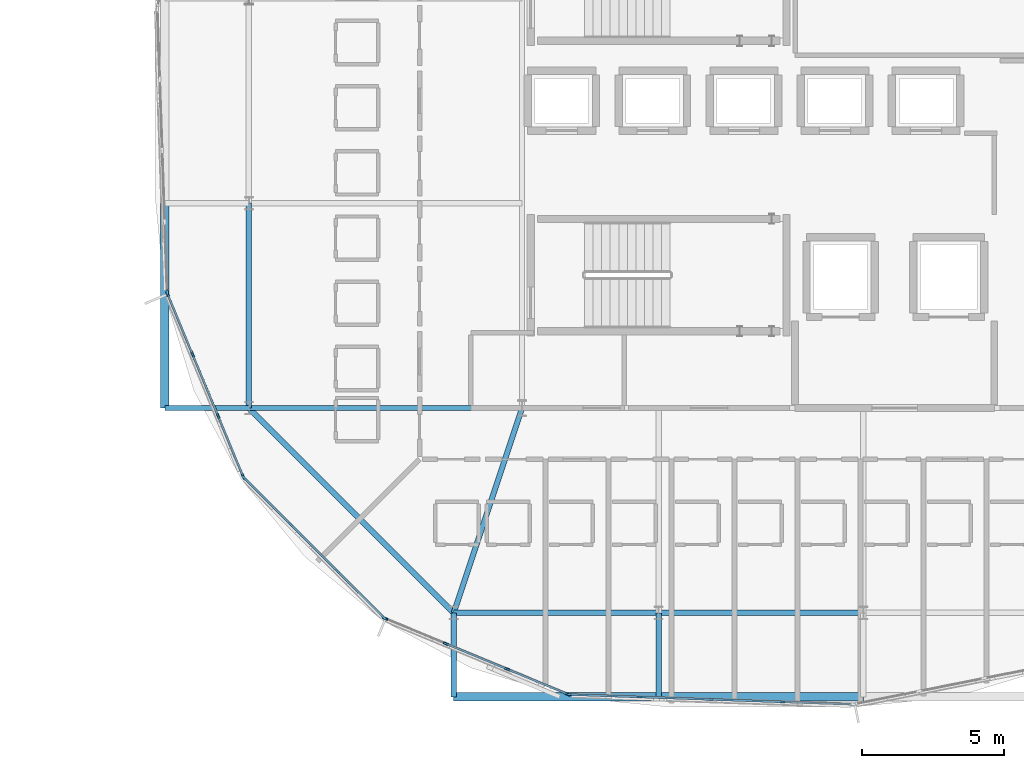
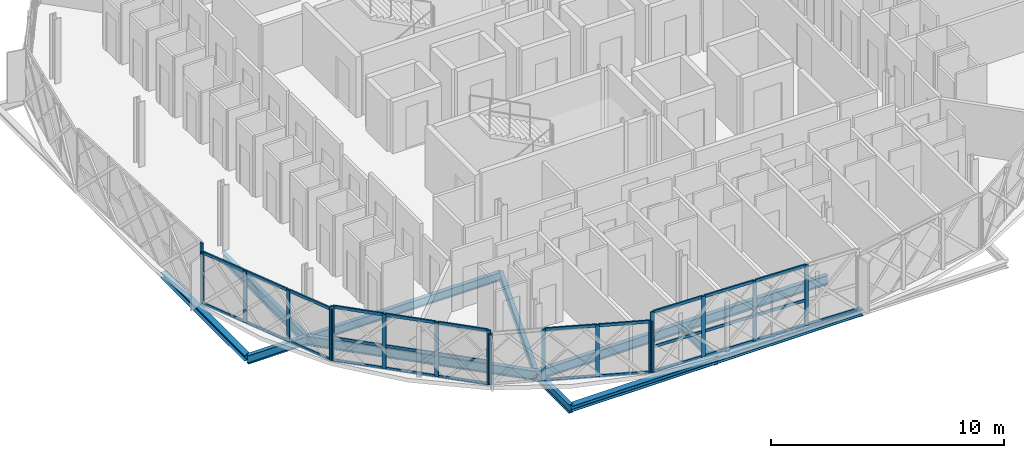
# One storey, part 5 of 25: 46 members, 12 beams, 5 elements without a shape of their own.
"""IFC4 building model written with IfcOpenShell, lengths in metres."""

from ifc_helpers import new_model, si_unit, direction, frame, origin, origin_2d, place, context, subcontext, project, spatial, rectangle, i_section, extrude, material, layer, layer_set, material_profile, profile_set, type_object, element, aggregate, save


model = new_model("IFC4")

# Units and contexts
model_context = context("Model", 3, precision=1e-05, world=origin(), true_north=direction((0.0, 1.0)))
body_context = subcontext(model_context, "Body", "Model", "MODEL_VIEW")
ifc_project = project(units=[si_unit("LENGTHUNIT", "METRE"), si_unit("AREAUNIT", "SQUARE_METRE"), si_unit("VOLUMEUNIT", "CUBIC_METRE"), si_unit("PLANEANGLEUNIT", "RADIAN"), si_unit("MASSUNIT", "GRAM", prefix="KILO")], contexts=[model_context])

# Site, building, storey
site_placement = place(None, origin())
site = spatial("IfcSite", under=ifc_project, at=site_placement, CompositionType="ELEMENT")
building_placement = place(site_placement, origin())
building = spatial("IfcBuilding", under=site, at=building_placement, Name="Zevrakil Square Congress Hotel", CompositionType="ELEMENT")
storey_placement = place(building_placement, frame((0.0, 0.0, 28.300048828125)))
storey = spatial("IfcBuildingStorey", under=building, at=storey_placement, Name="L08", CompositionType="ELEMENT", Elevation=28.300048828125)

# Beams
ifc_material_1 = material(Name="Steel S355", Category="steel")
ifc_material_profile_1 = material_profile(ifc_material_1, i_section(OverallWidth=0.18994140625, OverallDepth=0.449951171875, WebThickness=0.009521484375, FlangeThickness=0.0146484375, FilletRadius=0.02099609375, at=origin_2d()), Name="IPE 450")
ifc_profile_set_1 = profile_set([ifc_material_profile_1], Name="Steel S355")
beam_type_1 = type_object("IfcBeamType", Name="BM-IPE450", PredefinedType="BEAM", material=ifc_profile_set_1)
beam_1_placement = place(storey_placement, frame((136.800048828125, 16.800048828125, -0.43505859375), z_axis=(-0.316247066962, -0.948676864184, 0.0), x_axis=(0.948676864184, -0.316247066962, 0.0)))
element("IfcBeam", 1, at=beam_1_placement, inside=storey, type_object=beam_type_1, Name="L08 drum radial floor beam DRI-01", PredefinedType="BEAM", context=body_context, shape_type="SweptSolid", body=[
    extrude(i_section(OverallWidth=0.18994140625, OverallDepth=0.449951171875, WebThickness=0.009521484375, FlangeThickness=0.0146484375, FilletRadius=0.02099609375, at=origin_2d()), origin(), (0.0, 0.0, 1.0), 7.58935546875),
])
for number, where, z_axis, x_axis, name in (
    (2, (134.39990234375, 9.60009765625, -0.43505859375), (0.0, -1.0, 0.0), (1.0, 0.0, 0.0), "L08 drum radial edge cantilever beam DRO-01"),
    (3, (141.60009765625, 9.60009765625, -0.43505859375), (0.0, -1.0, 0.0), (1.0, 0.0, 0.0), "L08 drum radial edge cantilever beam DRO-02"),
):
    element("IfcBeam", number, at=place(storey_placement, frame(where, z_axis=z_axis, x_axis=x_axis)), inside=storey, type_object=beam_type_1, Name=name, PredefinedType="BEAM", context=body_context, shape_type="SweptSolid", body=[
        extrude(i_section(OverallWidth=0.18994140625, OverallDepth=0.449951171875, WebThickness=0.009521484375, FlangeThickness=0.0146484375, FilletRadius=0.02099609375, at=origin_2d()), origin(), (0.0, 0.0, 1.0), 2.95458984375),
    ])
beam_2_placement = place(storey_placement, frame((136.800048828125, 16.800048828125, -0.43505859375), z_axis=(-1.0, 0.0, 0.0), x_axis=(0.0, -1.0, 0.0)))
element("IfcBeam", 4, at=beam_2_placement, inside=storey, type_object=beam_type_1, Name="L08 drum radial floor beam DRI-16", PredefinedType="BEAM", context=body_context, shape_type="SweptSolid", body=[
    extrude(i_section(OverallWidth=0.18994140625, OverallDepth=0.449951171875, WebThickness=0.009521484375, FlangeThickness=0.0146484375, FilletRadius=0.02099609375, at=origin_2d()), origin(), (0.0, 0.0, 1.0), 9.60009765625),
])
beam_3_placement = place(storey_placement, frame((127.199951171875, 16.800048828125, -0.43505859375), z_axis=(-1.0, 0.0, 0.0), x_axis=(0.0, -1.0, 0.0)))
element("IfcBeam", 5, at=beam_3_placement, inside=storey, type_object=beam_type_1, Name="L08 drum radial edge cantilever beam DRO-16", PredefinedType="BEAM", context=body_context, shape_type="SweptSolid", body=[
    extrude(i_section(OverallWidth=0.18994140625, OverallDepth=0.449951171875, WebThickness=0.009521484375, FlangeThickness=0.0146484375, FilletRadius=0.02099609375, at=origin_2d()), origin(), (0.0, 0.0, 1.0), 2.954345703125),
])
ifc_material_2 = material(Name="Steel S355", Category="steel")
ifc_material_profile_2 = material_profile(ifc_material_2, i_section(OverallWidth=0.199951171875, OverallDepth=0.5, WebThickness=0.01025390625, FlangeThickness=0.01611328125, FilletRadius=0.02099609375, at=origin_2d()), Name="IPE 500")
ifc_profile_set_2 = profile_set([ifc_material_profile_2], Name="Steel S355")
beam_type_2 = type_object("IfcBeamType", Name="BM-IPE500", PredefinedType="BEAM", material=ifc_profile_set_2)
beam_4_placement = place(storey_placement, frame((134.39990234375, 9.60009765625, -0.4599609375), z_axis=(1.0, 0.0, 0.0), x_axis=(0.0, 1.0, 0.0)))
element("IfcBeam", 6, at=beam_4_placement, inside=storey, type_object=beam_type_2, Name="L08 drum ring girder DRB-01", PredefinedType="BEAM", context=body_context, shape_type="SweptSolid", body=[
    extrude(i_section(OverallWidth=0.199951171875, OverallDepth=0.5, WebThickness=0.01025390625, FlangeThickness=0.01611328125, FilletRadius=0.02099609375, at=origin_2d()), origin(), (0.0, 0.0, 1.0), 7.2001953125),
])
for number, where, z_axis, x_axis, name in (
    (7, (141.60009765625, 9.60009765625, -0.4599609375), (1.0, 0.0, 0.0), (0.0, 1.0, 0.0), "L08 drum ring girder DRB-02"),
    (8, (127.199951171875, 24.0, -0.4599609375), (0.0, -1.0, 0.0), (1.0, 0.0, 0.0), "L08 drum ring girder DRB-15"),
):
    element("IfcBeam", number, at=place(storey_placement, frame(where, z_axis=z_axis, x_axis=x_axis)), inside=storey, type_object=beam_type_2, Name=name, PredefinedType="BEAM", context=body_context, shape_type="SweptSolid", body=[
        extrude(i_section(OverallWidth=0.199951171875, OverallDepth=0.5, WebThickness=0.01025390625, FlangeThickness=0.01611328125, FilletRadius=0.02099609375, at=origin_2d()), origin(), (0.0, 0.0, 1.0), 7.199951171875),
    ])
beam_5_placement = place(storey_placement, frame((127.199951171875, 16.800048828125, -0.4599609375), z_axis=(0.707106781187, -0.707106781187, 0.0), x_axis=(0.707106781187, 0.707106781187, 0.0)))
element("IfcBeam", 9, at=beam_5_placement, inside=storey, type_object=beam_type_2, Name="L08 drum ring girder DRB-16", PredefinedType="BEAM", context=body_context, shape_type="SweptSolid", body=[
    extrude(i_section(OverallWidth=0.199951171875, OverallDepth=0.5, WebThickness=0.01025390625, FlangeThickness=0.01611328125, FilletRadius=0.02099609375, at=origin_2d()), origin(), (0.0, 0.0, 1.0), 10.182373046875),
])

# Curtain wall, members
ifc_material_3 = material(Name="Aluminium Anodised Bronze", Category="aluminium")
ifc_layer_1 = layer(ifc_material_3, 0.179931640625)
ifc_layer_set_1 = layer_set([ifc_layer_1], Name="Aluminium Anodised Bronze")
curtain_wall_type_1 = type_object("IfcCurtainWallType", Name="CW-L08-720", PredefinedType="USERDEFINED", material=ifc_layer_set_1)
curtain_wall_1_placement = place(storey_placement, origin())
curtain_wall_1 = element("IfcCurtainWall", 10, at=curtain_wall_1_placement, inside=storey, type_object=curtain_wall_type_1, Name="L08 diamond curtain wall CW-L08-0249", ObjectType="GLAZED CURTAIN WALL", PredefinedType="USERDEFINED")
ifc_material_4 = material(Name="Aluminium Anodised Bronze", Category="aluminium")
ifc_material_profile_3 = material_profile(ifc_material_4, rectangle(XDim=0.074951171875, YDim=0.14990234375, at=origin_2d()), Name="ALU 75x150")
ifc_profile_set_3 = profile_set([ifc_material_profile_3], Name="Aluminium Anodised Bronze")
member_type_1 = type_object("IfcMemberType", Name="CWM-ALU75x150", PredefinedType="USERDEFINED", material=ifc_profile_set_3)
member_1_placement = place(storey_placement, frame((124.353515625, 20.7822265625, 0.030029296875), z_axis=(0.382668727465, -0.923885623343, 0.0), x_axis=(0.923885623343, 0.382668727465, 0.0)))
member_1 = element("IfcMember", 11, at=member_1_placement, type_object=member_type_1, Name="CW-94 transom 1.1", ObjectType="TRANSOM", PredefinedType="USERDEFINED", context=body_context, shape_type="SweptSolid", body=[
    extrude(rectangle(XDim=0.074951171875, YDim=0.14990234375, at=origin_2d()), origin(), (0.0, 0.0, 1.0), 2.2451171875),
])
member_2_placement = place(storey_placement, frame((124.353515625, 20.7822265625, 2.679931640625), z_axis=(0.382668727465, -0.923885623343, 0.0), x_axis=(0.923885623343, 0.382668727465, 0.0)))
member_2 = element("IfcMember", 12, at=member_2_placement, type_object=member_type_1, Name="CW-94 transom 1.2", ObjectType="TRANSOM", PredefinedType="USERDEFINED", context=body_context, shape_type="SweptSolid", body=[
    extrude(rectangle(XDim=0.074951171875, YDim=0.14990234375, at=origin_2d()), origin(), (0.0, 0.0, 1.0), 2.2451171875),
])
member_3_placement = place(storey_placement, frame((125.235595703125, 18.652587890625, 0.030029296875), z_axis=(0.38274032778, -0.923855963606, 0.0), x_axis=(0.923855963606, 0.38274032778, 0.0)))
member_3 = element("IfcMember", 13, at=member_3_placement, type_object=member_type_1, Name="CW-94 transom 2.1", ObjectType="TRANSOM", PredefinedType="USERDEFINED", context=body_context, shape_type="SweptSolid", body=[
    extrude(rectangle(XDim=0.074951171875, YDim=0.14990234375, at=origin_2d()), origin(), (0.0, 0.0, 1.0), 2.275390625),
])
member_4_placement = place(storey_placement, frame((125.235595703125, 18.652587890625, 2.679931640625), z_axis=(0.38274032778, -0.923855963606, 0.0), x_axis=(0.923855963606, 0.38274032778, 0.0)))
member_4 = element("IfcMember", 14, at=member_4_placement, type_object=member_type_1, Name="CW-94 transom 2.2", ObjectType="TRANSOM", PredefinedType="USERDEFINED", context=body_context, shape_type="SweptSolid", body=[
    extrude(rectangle(XDim=0.074951171875, YDim=0.14990234375, at=origin_2d()), origin(), (0.0, 0.0, 1.0), 2.275390625),
])
member_5_placement = place(storey_placement, frame((126.12939453125, 16.494873046875, 0.030029296875), z_axis=(0.382668727465, -0.923885623343, 0.0), x_axis=(0.923885623343, 0.382668727465, 0.0)))
member_5 = element("IfcMember", 15, at=member_5_placement, type_object=member_type_1, Name="CW-94 transom 3.1", ObjectType="TRANSOM", PredefinedType="USERDEFINED", context=body_context, shape_type="SweptSolid", body=[
    extrude(rectangle(XDim=0.074951171875, YDim=0.14990234375, at=origin_2d()), origin(), (0.0, 0.0, 1.0), 2.2451171875),
])
member_6_placement = place(storey_placement, frame((126.12939453125, 16.494873046875, 2.679931640625), z_axis=(0.382668727465, -0.923885623343, 0.0), x_axis=(0.923885623343, 0.382668727465, 0.0)))
member_6 = element("IfcMember", 16, at=member_6_placement, type_object=member_type_1, Name="CW-94 transom 3.2", ObjectType="TRANSOM", PredefinedType="USERDEFINED", context=body_context, shape_type="SweptSolid", body=[
    extrude(rectangle(XDim=0.074951171875, YDim=0.14990234375, at=origin_2d()), origin(), (0.0, 0.0, 1.0), 2.2451171875),
])

curtain_wall_2_placement = place(storey_placement, origin())
curtain_wall_2 = element("IfcCurtainWall", 17, at=curtain_wall_2_placement, inside=storey, type_object=curtain_wall_type_1, Name="L08 diamond curtain wall CW-L08-0250", ObjectType="GLAZED CURTAIN WALL", PredefinedType="USERDEFINED")
member_7_placement = place(storey_placement, frame((127.053955078125, 14.32275390625, 0.030029296875), z_axis=(0.707106781187, -0.707106781187, 0.0), x_axis=(0.707106781187, 0.707106781187, 0.0)))
member_7 = element("IfcMember", 18, at=member_7_placement, type_object=member_type_1, Name="CW-94 transom 1.1", ObjectType="TRANSOM", PredefinedType="USERDEFINED", context=body_context, shape_type="SweptSolid", body=[
    extrude(rectangle(XDim=0.074951171875, YDim=0.14990234375, at=origin_2d()), origin(), (0.0, 0.0, 1.0), 2.245361328125),
])
member_8_placement = place(storey_placement, frame((127.053955078125, 14.32275390625, 1.201171875), z_axis=(0.707106781187, -0.707106781187, 0.0), x_axis=(0.707106781187, 0.707106781187, 0.0)))
member_8 = element("IfcMember", 19, at=member_8_placement, type_object=member_type_1, Name="CW-94 transom 1.2", ObjectType="TRANSOM", PredefinedType="USERDEFINED", context=body_context, shape_type="SweptSolid", body=[
    extrude(rectangle(XDim=0.074951171875, YDim=0.14990234375, at=origin_2d()), origin(), (0.0, 0.0, 1.0), 2.245361328125),
])
member_9_placement = place(storey_placement, frame((127.053955078125, 14.32275390625, 2.829833984375), z_axis=(0.707106781187, -0.707106781187, 0.0), x_axis=(0.707106781187, 0.707106781187, 0.0)))
member_9 = element("IfcMember", 20, at=member_9_placement, type_object=member_type_1, Name="CW-94 transom 1.3", ObjectType="TRANSOM", PredefinedType="USERDEFINED", context=body_context, shape_type="SweptSolid", body=[
    extrude(rectangle(XDim=0.074951171875, YDim=0.14990234375, at=origin_2d()), origin(), (0.0, 0.0, 1.0), 2.245361328125),
])
member_10_placement = place(storey_placement, frame((128.683837890625, 12.69287109375, 0.030029296875), z_axis=(0.707106781187, -0.707106781187, 0.0), x_axis=(0.707106781187, 0.707106781187, 0.0)))
member_10 = element("IfcMember", 21, at=member_10_placement, type_object=member_type_1, Name="CW-94 transom 2.1", ObjectType="TRANSOM", PredefinedType="USERDEFINED", context=body_context, shape_type="SweptSolid", body=[
    extrude(rectangle(XDim=0.074951171875, YDim=0.14990234375, at=origin_2d()), origin(), (0.0, 0.0, 1.0), 2.275390625),
])
member_11_placement = place(storey_placement, frame((128.683837890625, 12.69287109375, 1.201171875), z_axis=(0.707106781187, -0.707106781187, 0.0), x_axis=(0.707106781187, 0.707106781187, 0.0)))
member_11 = element("IfcMember", 22, at=member_11_placement, type_object=member_type_1, Name="CW-94 transom 2.2", ObjectType="TRANSOM", PredefinedType="USERDEFINED", context=body_context, shape_type="SweptSolid", body=[
    extrude(rectangle(XDim=0.074951171875, YDim=0.14990234375, at=origin_2d()), origin(), (0.0, 0.0, 1.0), 2.275390625),
])
member_12_placement = place(storey_placement, frame((128.683837890625, 12.69287109375, 2.829833984375), z_axis=(0.707106781187, -0.707106781187, 0.0), x_axis=(0.707106781187, 0.707106781187, 0.0)))
member_12 = element("IfcMember", 23, at=member_12_placement, type_object=member_type_1, Name="CW-94 transom 2.3", ObjectType="TRANSOM", PredefinedType="USERDEFINED", context=body_context, shape_type="SweptSolid", body=[
    extrude(rectangle(XDim=0.074951171875, YDim=0.14990234375, at=origin_2d()), origin(), (0.0, 0.0, 1.0), 2.275390625),
])
member_13_placement = place(storey_placement, frame((130.335205078125, 11.04150390625, 0.030029296875), z_axis=(0.707106781187, -0.707106781187, 0.0), x_axis=(0.707106781187, 0.707106781187, 0.0)))
member_13 = element("IfcMember", 24, at=member_13_placement, type_object=member_type_1, Name="CW-94 transom 3.1", ObjectType="TRANSOM", PredefinedType="USERDEFINED", context=body_context, shape_type="SweptSolid", body=[
    extrude(rectangle(XDim=0.074951171875, YDim=0.14990234375, at=origin_2d()), origin(), (0.0, 0.0, 1.0), 2.245361328125),
])
member_14_placement = place(storey_placement, frame((130.335205078125, 11.04150390625, 1.201171875), z_axis=(0.707106781187, -0.707106781187, 0.0), x_axis=(0.707106781187, 0.707106781187, 0.0)))
member_14 = element("IfcMember", 25, at=member_14_placement, type_object=member_type_1, Name="CW-94 transom 3.2", ObjectType="TRANSOM", PredefinedType="USERDEFINED", context=body_context, shape_type="SweptSolid", body=[
    extrude(rectangle(XDim=0.074951171875, YDim=0.14990234375, at=origin_2d()), origin(), (0.0, 0.0, 1.0), 2.245361328125),
])
member_15_placement = place(storey_placement, frame((130.335205078125, 11.04150390625, 2.829833984375), z_axis=(0.707106781187, -0.707106781187, 0.0), x_axis=(0.707106781187, 0.707106781187, 0.0)))
member_15 = element("IfcMember", 26, at=member_15_placement, type_object=member_type_1, Name="CW-94 transom 3.3", ObjectType="TRANSOM", PredefinedType="USERDEFINED", context=body_context, shape_type="SweptSolid", body=[
    extrude(rectangle(XDim=0.074951171875, YDim=0.14990234375, at=origin_2d()), origin(), (0.0, 0.0, 1.0), 2.245361328125),
])

curtain_wall_3_placement = place(storey_placement, origin())
curtain_wall_3 = element("IfcCurtainWall", 27, at=curtain_wall_3_placement, inside=storey, type_object=curtain_wall_type_1, Name="L08 diamond curtain wall CW-L08-0251", ObjectType="GLAZED CURTAIN WALL", PredefinedType="USERDEFINED")
member_16_placement = place(storey_placement, frame((134.150390625, 8.50634765625, 0.030029296875), z_axis=(0.923893901698, -0.382648740238, 0.0), x_axis=(0.382648740238, 0.923893901698, 0.0)))
member_16 = element("IfcMember", 28, at=member_16_placement, type_object=member_type_1, Name="CW-94 transom 2.1", ObjectType="TRANSOM", PredefinedType="USERDEFINED", context=body_context, shape_type="SweptSolid", body=[
    extrude(rectangle(XDim=0.074951171875, YDim=0.14990234375, at=origin_2d()), origin(), (0.0, 0.0, 1.0), 2.275146484375),
])
member_17_placement = place(storey_placement, frame((134.150390625, 8.50634765625, 2.679931640625), z_axis=(0.923893901698, -0.382648740238, 0.0), x_axis=(0.382648740238, 0.923893901698, 0.0)))
member_17 = element("IfcMember", 29, at=member_17_placement, type_object=member_type_1, Name="CW-94 transom 2.2", ObjectType="TRANSOM", PredefinedType="USERDEFINED", context=body_context, shape_type="SweptSolid", body=[
    extrude(rectangle(XDim=0.074951171875, YDim=0.14990234375, at=origin_2d()), origin(), (0.0, 0.0, 1.0), 2.275146484375),
])
member_18_placement = place(storey_placement, frame((136.307861328125, 7.61279296875, 0.030029296875), z_axis=(0.923863103406, -0.382723093326, 0.0), x_axis=(0.382723093326, 0.923863103406, 0.0)))
member_18 = element("IfcMember", 30, at=member_18_placement, type_object=member_type_1, Name="CW-94 transom 3.1", ObjectType="TRANSOM", PredefinedType="USERDEFINED", context=body_context, shape_type="SweptSolid", body=[
    extrude(rectangle(XDim=0.074951171875, YDim=0.14990234375, at=origin_2d()), origin(), (0.0, 0.0, 1.0), 2.245361328125),
])
member_19_placement = place(storey_placement, frame((136.307861328125, 7.61279296875, 2.679931640625), z_axis=(0.923863103406, -0.382723093326, 0.0), x_axis=(0.382723093326, 0.923863103406, 0.0)))
member_19 = element("IfcMember", 31, at=member_19_placement, type_object=member_type_1, Name="CW-94 transom 3.2", ObjectType="TRANSOM", PredefinedType="USERDEFINED", context=body_context, shape_type="SweptSolid", body=[
    extrude(rectangle(XDim=0.074951171875, YDim=0.14990234375, at=origin_2d()), origin(), (0.0, 0.0, 1.0), 2.245361328125),
])

ifc_material_5 = material(Name="Aluminium Anodised Bronze", Category="aluminium")
ifc_layer_2 = layer(ifc_material_5, 0.179931640625)
ifc_layer_set_2 = layer_set([ifc_layer_2], Name="Aluminium Anodised Bronze")
curtain_wall_type_2 = type_object("IfcCurtainWallType", Name="CW-L08-900", PredefinedType="USERDEFINED", material=ifc_layer_set_2)
curtain_wall_4_placement = place(storey_placement, origin())
curtain_wall_4 = element("IfcCurtainWall", 32, at=curtain_wall_4_placement, inside=storey, type_object=curtain_wall_type_2, Name="L08 diamond curtain wall CW-L08-0252", ObjectType="GLAZED CURTAIN WALL", PredefinedType="USERDEFINED")
member_20_placement = place(storey_placement, frame((138.49755859375, 6.728515625, 0.030029296875), z_axis=(0.999406599032, -0.034444880763, 0.0), x_axis=(0.034444880763, 0.999406599032, 0.0)))
member_20 = element("IfcMember", 33, at=member_20_placement, type_object=member_type_1, Name="CW-96 transom 1.1", ObjectType="TRANSOM", PredefinedType="USERDEFINED", context=body_context, shape_type="SweptSolid", body=[
    extrude(rectangle(XDim=0.074951171875, YDim=0.14990234375, at=origin_2d()), origin(), (0.0, 0.0, 1.0), 2.4169921875),
])
member_21_placement = place(storey_placement, frame((138.49755859375, 6.728515625, 1.33349609375), z_axis=(0.999406599032, -0.034444880763, 0.0), x_axis=(0.034444880763, 0.999406599032, 0.0)))
member_21 = element("IfcMember", 34, at=member_21_placement, type_object=member_type_1, Name="CW-96 transom 1.2", ObjectType="TRANSOM", PredefinedType="USERDEFINED", context=body_context, shape_type="SweptSolid", body=[
    extrude(rectangle(XDim=0.074951171875, YDim=0.14990234375, at=origin_2d()), origin(), (0.0, 0.0, 1.0), 2.4169921875),
])
member_22_placement = place(storey_placement, frame((138.49755859375, 6.728515625, 3.14501953125), z_axis=(0.999406599032, -0.034444880763, 0.0), x_axis=(0.034444880763, 0.999406599032, 0.0)))
member_22 = element("IfcMember", 35, at=member_22_placement, type_object=member_type_1, Name="CW-96 transom 1.3", ObjectType="TRANSOM", PredefinedType="USERDEFINED", context=body_context, shape_type="SweptSolid", body=[
    extrude(rectangle(XDim=0.074951171875, YDim=0.14990234375, at=origin_2d()), origin(), (0.0, 0.0, 1.0), 2.4169921875),
])
member_23_placement = place(storey_placement, frame((140.97314453125, 6.643310546875, 0.030029296875), z_axis=(0.999407420419, -0.034421040236, 0.0), x_axis=(0.034421040236, 0.999407420419, 0.0)))
member_23 = element("IfcMember", 36, at=member_23_placement, type_object=member_type_1, Name="CW-96 transom 2.1", ObjectType="TRANSOM", PredefinedType="USERDEFINED", context=body_context, shape_type="SweptSolid", body=[
    extrude(rectangle(XDim=0.074951171875, YDim=0.14990234375, at=origin_2d()), origin(), (0.0, 0.0, 1.0), 2.447021484375),
])
member_24_placement = place(storey_placement, frame((140.97314453125, 6.643310546875, 1.33349609375), z_axis=(0.999407420419, -0.034421040236, 0.0), x_axis=(0.034421040236, 0.999407420419, 0.0)))
member_24 = element("IfcMember", 37, at=member_24_placement, type_object=member_type_1, Name="CW-96 transom 2.2", ObjectType="TRANSOM", PredefinedType="USERDEFINED", context=body_context, shape_type="SweptSolid", body=[
    extrude(rectangle(XDim=0.074951171875, YDim=0.14990234375, at=origin_2d()), origin(), (0.0, 0.0, 1.0), 2.447021484375),
])
member_25_placement = place(storey_placement, frame((140.97314453125, 6.643310546875, 3.14501953125), z_axis=(0.999407420419, -0.034421040236, 0.0), x_axis=(0.034421040236, 0.999407420419, 0.0)))
member_25 = element("IfcMember", 38, at=member_25_placement, type_object=member_type_1, Name="CW-96 transom 2.3", ObjectType="TRANSOM", PredefinedType="USERDEFINED", context=body_context, shape_type="SweptSolid", body=[
    extrude(rectangle(XDim=0.074951171875, YDim=0.14990234375, at=origin_2d()), origin(), (0.0, 0.0, 1.0), 2.447021484375),
])
member_26_placement = place(storey_placement, frame((143.478515625, 6.556884765625, 0.030029296875), z_axis=(0.999410847654, -0.034321386802, 0.0), x_axis=(0.034321386802, 0.999410847654, 0.0)))
member_26 = element("IfcMember", 39, at=member_26_placement, type_object=member_type_1, Name="CW-96 transom 3.1", ObjectType="TRANSOM", PredefinedType="USERDEFINED", context=body_context, shape_type="SweptSolid", body=[
    extrude(rectangle(XDim=0.074951171875, YDim=0.14990234375, at=origin_2d()), origin(), (0.0, 0.0, 1.0), 2.447021484375),
])
member_27_placement = place(storey_placement, frame((143.478515625, 6.556884765625, 1.33349609375), z_axis=(0.999410847654, -0.034321386802, 0.0), x_axis=(0.034321386802, 0.999410847654, 0.0)))
member_27 = element("IfcMember", 40, at=member_27_placement, type_object=member_type_1, Name="CW-96 transom 3.2", ObjectType="TRANSOM", PredefinedType="USERDEFINED", context=body_context, shape_type="SweptSolid", body=[
    extrude(rectangle(XDim=0.074951171875, YDim=0.14990234375, at=origin_2d()), origin(), (0.0, 0.0, 1.0), 2.447021484375),
])
member_28_placement = place(storey_placement, frame((143.478515625, 6.556884765625, 3.14501953125), z_axis=(0.999410847654, -0.034321386802, 0.0), x_axis=(0.034321386802, 0.999410847654, 0.0)))
member_28 = element("IfcMember", 41, at=member_28_placement, type_object=member_type_1, Name="CW-96 transom 3.3", ObjectType="TRANSOM", PredefinedType="USERDEFINED", context=body_context, shape_type="SweptSolid", body=[
    extrude(rectangle(XDim=0.074951171875, YDim=0.14990234375, at=origin_2d()), origin(), (0.0, 0.0, 1.0), 2.447021484375),
])
member_29_placement = place(storey_placement, frame((145.984130859375, 6.470703125, 0.030029296875), z_axis=(0.999406479169, -0.034448358374, 0.0), x_axis=(0.034448358374, 0.999406479169, 0.0)))
member_29 = element("IfcMember", 42, at=member_29_placement, type_object=member_type_1, Name="CW-96 transom 4.1", ObjectType="TRANSOM", PredefinedType="USERDEFINED", context=body_context, shape_type="SweptSolid", body=[
    extrude(rectangle(XDim=0.074951171875, YDim=0.14990234375, at=origin_2d()), origin(), (0.0, 0.0, 1.0), 2.416748046875),
])

# Curtain wall, member
curtain_wall_5_placement = place(storey_placement, origin())
curtain_wall_5 = element("IfcCurtainWall", 43, at=curtain_wall_5_placement, inside=storey, type_object=curtain_wall_type_2, Name="L08 diamond curtain wall CW-L08-0248", ObjectType="GLAZED CURTAIN WALL", PredefinedType="USERDEFINED")
ifc_material_6 = material(Name="Aluminium Anodised Bronze", Category="aluminium")
ifc_material_profile_4 = material_profile(ifc_material_6, rectangle(XDim=0.074951171875, YDim=0.179931640625, at=origin_2d()), Name="ALU 75x180")
ifc_profile_set_4 = profile_set([ifc_material_profile_4], Name="Aluminium Anodised Bronze")
member_type_2 = type_object("IfcMemberType", Name="CWM-ALU75x180", PredefinedType="MULLION", material=ifc_profile_set_4)
member_30_placement = place(storey_placement, frame((124.32958984375, 20.86767578125, 0.0), z_axis=(0.0, 0.0, 1.0), x_axis=(0.999407987418, 0.034404573593, 0.0)))
member_30 = element("IfcMember", 44, at=member_30_placement, type_object=member_type_2, Name="CW-96 mullion 5", PredefinedType="MULLION", context=body_context, shape_type="SweptSolid", body=[
    extrude(rectangle(XDim=0.074951171875, YDim=0.179931640625, at=origin_2d()), origin(), (0.0, 0.0, 1.0), 3.175048828125),
])
aggregate(curtain_wall_5, [member_30])

# Member
member_31_placement = place(storey_placement, frame((124.342041015625, 20.81005859375, 0.0), z_axis=(0.0, 0.0, 1.0), x_axis=(0.92387939537, 0.382683763454, 0.0)))
member_31 = element("IfcMember", 45, at=member_31_placement, type_object=member_type_2, Name="CW-94 mullion 1", PredefinedType="MULLION", context=body_context, shape_type="SweptSolid", body=[
    extrude(rectangle(XDim=0.074951171875, YDim=0.179931640625, at=origin_2d()), origin(), (0.0, 0.0, 1.0), 2.7099609375),
])

member_32_placement = place(storey_placement, frame((125.22412109375, 18.68017578125, 0.0), z_axis=(0.0, 0.0, 1.0), x_axis=(0.92387939537, 0.382683763454, 0.0)))
member_32 = element("IfcMember", 46, at=member_32_placement, type_object=member_type_2, Name="CW-94 mullion 2", PredefinedType="MULLION", context=body_context, shape_type="SweptSolid", body=[
    extrude(rectangle(XDim=0.074951171875, YDim=0.179931640625, at=origin_2d()), origin(), (0.0, 0.0, 1.0), 2.7099609375),
])

member_33_placement = place(storey_placement, frame((126.117919921875, 16.522705078125, 0.0), z_axis=(0.0, 0.0, 1.0), x_axis=(0.92387939537, 0.382683763454, 0.0)))
member_33 = element("IfcMember", 47, at=member_33_placement, type_object=member_type_2, Name="CW-94 mullion 3", PredefinedType="MULLION", context=body_context, shape_type="SweptSolid", body=[
    extrude(rectangle(XDim=0.074951171875, YDim=0.179931640625, at=origin_2d()), origin(), (0.0, 0.0, 1.0), 2.7099609375),
])

member_34_placement = place(storey_placement, frame((127.0, 14.392822265625, 0.0), z_axis=(0.0, 0.0, 1.0), x_axis=(0.92387939537, 0.382683763454, 0.0)))
member_34 = element("IfcMember", 48, at=member_34_placement, type_object=member_type_2, Name="CW-94 mullion 4", PredefinedType="MULLION", context=body_context, shape_type="SweptSolid", body=[
    extrude(rectangle(XDim=0.074951171875, YDim=0.179931640625, at=origin_2d()), origin(), (0.0, 0.0, 1.0), 2.7099609375),
])

aggregate(curtain_wall_1, [member_31, member_32, member_33, member_34, member_1, member_2, member_3, member_4, member_5, member_6])

member_35_placement = place(storey_placement, frame((127.03271484375, 14.343994140625, 0.0), z_axis=(0.0, 0.0, 1.0), x_axis=(0.707106781187, 0.707106781187, 0.0)))
member_35 = element("IfcMember", 49, at=member_35_placement, type_object=member_type_2, Name="CW-94 mullion 1", PredefinedType="MULLION", context=body_context, shape_type="SweptSolid", body=[
    extrude(rectangle(XDim=0.074951171875, YDim=0.179931640625, at=origin_2d()), origin(), (0.0, 0.0, 1.0), 2.85986328125),
])

member_36_placement = place(storey_placement, frame((128.662841796875, 12.7138671875, 0.0), z_axis=(0.0, 0.0, 1.0), x_axis=(0.707106781187, 0.707106781187, 0.0)))
member_36 = element("IfcMember", 50, at=member_36_placement, type_object=member_type_2, Name="CW-94 mullion 2", PredefinedType="MULLION", context=body_context, shape_type="SweptSolid", body=[
    extrude(rectangle(XDim=0.074951171875, YDim=0.179931640625, at=origin_2d()), origin(), (0.0, 0.0, 1.0), 2.85986328125),
])

member_37_placement = place(storey_placement, frame((130.31396484375, 11.062744140625, 0.0), z_axis=(0.0, 0.0, 1.0), x_axis=(0.707106781187, 0.707106781187, 0.0)))
member_37 = element("IfcMember", 51, at=member_37_placement, type_object=member_type_2, Name="CW-94 mullion 3", PredefinedType="MULLION", context=body_context, shape_type="SweptSolid", body=[
    extrude(rectangle(XDim=0.074951171875, YDim=0.179931640625, at=origin_2d()), origin(), (0.0, 0.0, 1.0), 2.85986328125),
])

member_38_placement = place(storey_placement, frame((131.944091796875, 9.4326171875, 0.0), z_axis=(0.0, 0.0, 1.0), x_axis=(0.707106781187, 0.707106781187, 0.0)))
member_38 = element("IfcMember", 52, at=member_38_placement, type_object=member_type_2, Name="CW-94 mullion 4", PredefinedType="MULLION", context=body_context, shape_type="SweptSolid", body=[
    extrude(rectangle(XDim=0.074951171875, YDim=0.179931640625, at=origin_2d()), origin(), (0.0, 0.0, 1.0), 2.85986328125),
])

aggregate(curtain_wall_2, [member_35, member_36, member_37, member_38, member_7, member_8, member_9, member_10, member_11, member_12, member_13, member_14, member_15])

member_39_placement = place(storey_placement, frame((131.992919921875, 9.39990234375, 0.0), z_axis=(0.0, 0.0, 1.0), x_axis=(0.382683763454, 0.92387939537, 0.0)))
member_39 = element("IfcMember", 53, at=member_39_placement, type_object=member_type_2, Name="CW-94 mullion 1", PredefinedType="MULLION", context=body_context, shape_type="SweptSolid", body=[
    extrude(rectangle(XDim=0.074951171875, YDim=0.179931640625, at=origin_2d()), origin(), (0.0, 0.0, 1.0), 2.7099609375),
])

member_40_placement = place(storey_placement, frame((134.122802734375, 8.517822265625, 0.0), z_axis=(0.0, 0.0, 1.0), x_axis=(0.382683763454, 0.92387939537, 0.0)))
member_40 = element("IfcMember", 54, at=member_40_placement, type_object=member_type_2, Name="CW-94 mullion 2", PredefinedType="MULLION", context=body_context, shape_type="SweptSolid", body=[
    extrude(rectangle(XDim=0.074951171875, YDim=0.179931640625, at=origin_2d()), origin(), (0.0, 0.0, 1.0), 2.7099609375),
])

member_41_placement = place(storey_placement, frame((136.2802734375, 7.624267578125, 0.0), z_axis=(0.0, 0.0, 1.0), x_axis=(0.382683763454, 0.92387939537, 0.0)))
member_41 = element("IfcMember", 55, at=member_41_placement, type_object=member_type_2, Name="CW-94 mullion 3", PredefinedType="MULLION", context=body_context, shape_type="SweptSolid", body=[
    extrude(rectangle(XDim=0.074951171875, YDim=0.179931640625, at=origin_2d()), origin(), (0.0, 0.0, 1.0), 2.7099609375),
])

member_42_placement = place(storey_placement, frame((138.409912109375, 6.741943359375, 0.0), z_axis=(0.0, 0.0, 1.0), x_axis=(0.382683763454, 0.92387939537, 0.0)))
member_42 = element("IfcMember", 56, at=member_42_placement, type_object=member_type_2, Name="CW-94 mullion 4", PredefinedType="MULLION", context=body_context, shape_type="SweptSolid", body=[
    extrude(rectangle(XDim=0.074951171875, YDim=0.179931640625, at=origin_2d()), origin(), (0.0, 0.0, 1.0), 2.7099609375),
])

aggregate(curtain_wall_3, [member_39, member_40, member_41, member_42, member_16, member_17, member_18, member_19])

member_43_placement = place(storey_placement, frame((138.4677734375, 6.7294921875, 0.0), z_axis=(0.0, 0.0, 1.0), x_axis=(0.034404573593, 0.999407987418, 0.0)))
member_43 = element("IfcMember", 57, at=member_43_placement, type_object=member_type_2, Name="CW-96 mullion 1", PredefinedType="MULLION", context=body_context, shape_type="SweptSolid", body=[
    extrude(rectangle(XDim=0.074951171875, YDim=0.179931640625, at=origin_2d()), origin(), (0.0, 0.0, 1.0), 3.175048828125),
])

member_44_placement = place(storey_placement, frame((140.943115234375, 6.644287109375, 0.0), z_axis=(0.0, 0.0, 1.0), x_axis=(0.034404573593, 0.999407987418, 0.0)))
member_44 = element("IfcMember", 58, at=member_44_placement, type_object=member_type_2, Name="CW-96 mullion 2", PredefinedType="MULLION", context=body_context, shape_type="SweptSolid", body=[
    extrude(rectangle(XDim=0.074951171875, YDim=0.179931640625, at=origin_2d()), origin(), (0.0, 0.0, 1.0), 3.175048828125),
])

member_45_placement = place(storey_placement, frame((143.448486328125, 6.55810546875, 0.0), z_axis=(0.0, 0.0, 1.0), x_axis=(0.034404573593, 0.999407987418, 0.0)))
member_45 = element("IfcMember", 59, at=member_45_placement, type_object=member_type_2, Name="CW-96 mullion 3", PredefinedType="MULLION", context=body_context, shape_type="SweptSolid", body=[
    extrude(rectangle(XDim=0.074951171875, YDim=0.179931640625, at=origin_2d()), origin(), (0.0, 0.0, 1.0), 3.175048828125),
])

member_46_placement = place(storey_placement, frame((145.9541015625, 6.4716796875, 0.0), z_axis=(0.0, 0.0, 1.0), x_axis=(0.034404573593, 0.999407987418, 0.0)))
member_46 = element("IfcMember", 60, at=member_46_placement, type_object=member_type_2, Name="CW-96 mullion 4", PredefinedType="MULLION", context=body_context, shape_type="SweptSolid", body=[
    extrude(rectangle(XDim=0.074951171875, YDim=0.179931640625, at=origin_2d()), origin(), (0.0, 0.0, 1.0), 3.175048828125),
])

aggregate(curtain_wall_4, [member_43, member_44, member_45, member_46, member_20, member_21, member_22, member_23, member_24, member_25, member_26, member_27, member_28, member_29])

# Beams
ifc_material_7 = material(Name="Steel S355", Category="steel")
ifc_material_profile_5 = material_profile(ifc_material_7, i_section(OverallWidth=0.300048828125, OverallDepth=0.300048828125, WebThickness=0.010986328125, FlangeThickness=0.01904296875, FilletRadius=0.027099609375, at=origin_2d()), Name="HEB 300")
ifc_profile_set_5 = profile_set([ifc_material_profile_5], Name="Steel S355")
beam_type_3 = type_object("IfcBeamType", Name="SPD-RHS250", PredefinedType="SPANDREL", material=ifc_profile_set_5)
beam_6_placement = place(storey_placement, frame((134.39990234375, 6.6455078125, -0.360107421875), z_axis=(1.0, 0.0, 0.0), x_axis=(0.0, 1.0, 0.0)))
element("IfcBeam", 61, at=beam_6_placement, inside=storey, type_object=beam_type_3, Name="L08 drum edge spandrel beam DSP-00", PredefinedType="SPANDREL", context=body_context, shape_type="SweptSolid", body=[
    extrude(i_section(OverallWidth=0.300048828125, OverallDepth=0.300048828125, WebThickness=0.010986328125, FlangeThickness=0.01904296875, FilletRadius=0.027099609375, at=origin_2d()), origin(), (0.0, 0.0, 1.0), 7.2001953125),
])
for number, where, z_axis, x_axis, name in (
    (62, (141.60009765625, 6.6455078125, -0.360107421875), (1.0, 0.0, 0.0), (0.0, 1.0, 0.0), "L08 drum edge spandrel beam DSP-01"),
    (63, (124.24560546875, 24.0, -0.360107421875), (0.0, -1.0, 0.0), (1.0, 0.0, 0.0), "L08 drum edge spandrel beam DSP-14"),
):
    element("IfcBeam", number, at=place(storey_placement, frame(where, z_axis=z_axis, x_axis=x_axis)), inside=storey, type_object=beam_type_3, Name=name, PredefinedType="SPANDREL", context=body_context, shape_type="SweptSolid", body=[
        extrude(i_section(OverallWidth=0.300048828125, OverallDepth=0.300048828125, WebThickness=0.010986328125, FlangeThickness=0.01904296875, FilletRadius=0.027099609375, at=origin_2d()), origin(), (0.0, 0.0, 1.0), 7.199951171875),
    ])

save(model, "model.ifc")
